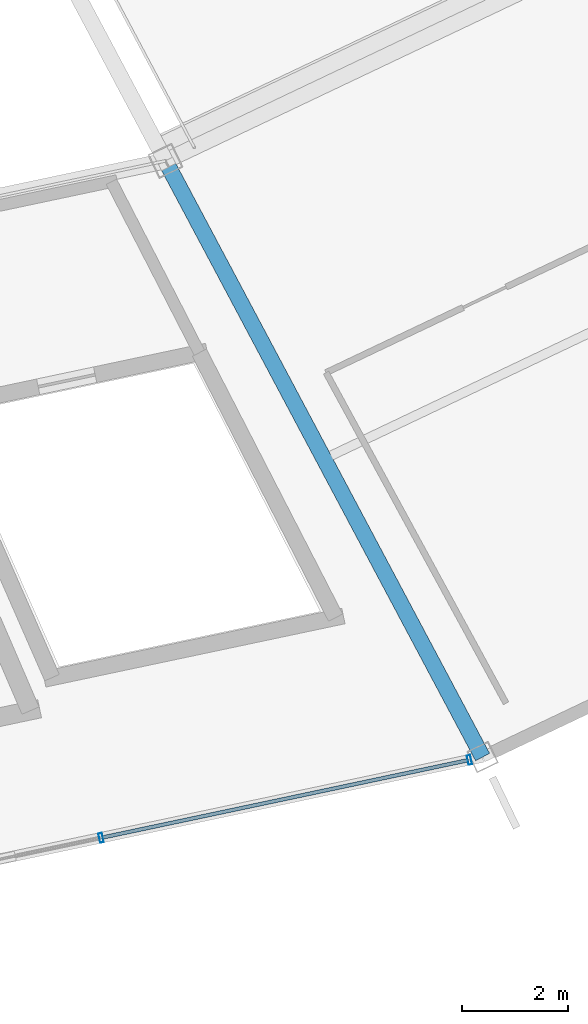
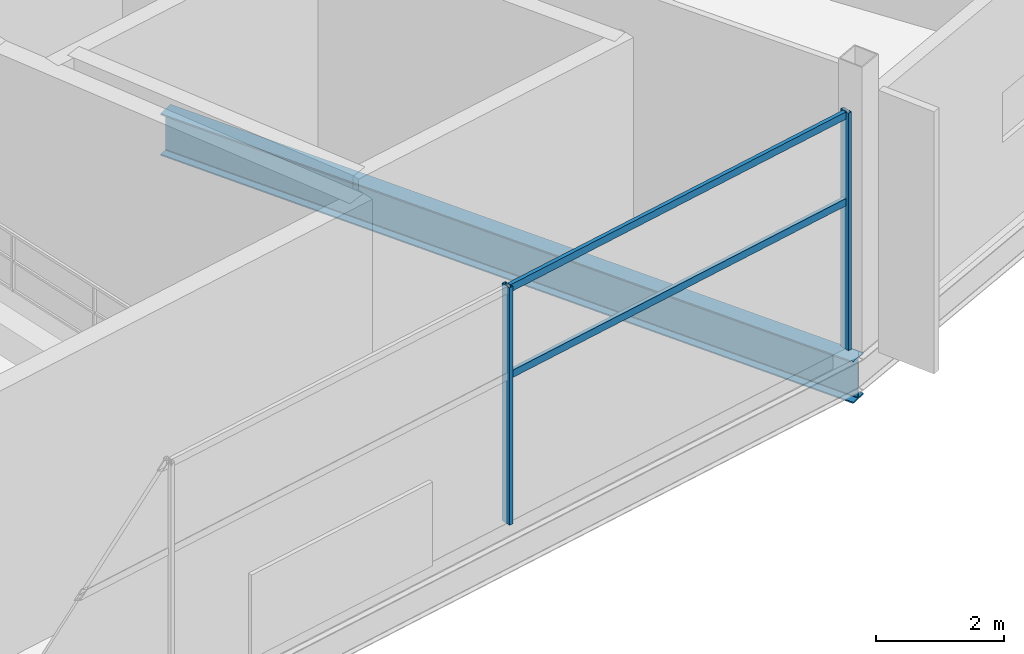
# One storey, part 57 of 186: 4 members, 1 beam, 1 element without a shape of its own.
"""IFC4 building model written with IfcOpenShell, lengths in metres."""

from ifc_helpers import new_model, si_unit, direction, frame, origin, origin_2d, place, context, subcontext, project, spatial, hollow_rectangle, i_section, extrude, material, layer, layer_set, material_profile, profile_set, type_object, element, aggregate, save


model = new_model("IFC4")

# Units and contexts
model_context = context("Model", 3, precision=1e-05, world=origin(), true_north=direction((0.0, 1.0)))
body_context = subcontext(model_context, "Body", "Model", "MODEL_VIEW")
ifc_project = project(units=[si_unit("LENGTHUNIT", "METRE"), si_unit("AREAUNIT", "SQUARE_METRE"), si_unit("VOLUMEUNIT", "CUBIC_METRE"), si_unit("PLANEANGLEUNIT", "RADIAN"), si_unit("MASSUNIT", "GRAM", prefix="KILO")], contexts=[model_context])

# Site, building, storey
site_placement = place(None, origin())
site = spatial("IfcSite", under=ifc_project, at=site_placement, CompositionType="ELEMENT")
building_placement = place(site_placement, origin())
building = spatial("IfcBuilding", under=site, at=building_placement, Name="Kazemori Nagisa Stadium", CompositionType="ELEMENT")
storey_placement = place(building_placement, frame((0.0, 0.0, 20.39990234375)))
storey = spatial("IfcBuildingStorey", under=building, at=storey_placement, Name="L04", CompositionType="ELEMENT", Elevation=20.39990234375)

# Beam
ifc_material_1 = material(Name="Steel SN490B", Category="steel")
ifc_material_profile_1 = material_profile(ifc_material_1, i_section(OverallWidth=0.300048828125, OverallDepth=0.800048828125, WebThickness=0.013916015625, FlangeThickness=0.02587890625, FilletRadius=0.01806640625, at=origin_2d()), Name="H-800x300x14x26")
ifc_profile_set_1 = profile_set([ifc_material_profile_1], Name="Steel SN490B")
beam_type = type_object("IfcBeamType", Name="Beam_BG-H800", PredefinedType="BEAM", material=ifc_profile_set_1)
beam_placement = place(storey_placement, frame((159.81201171875, 32.80078125, -0.699951171875), z_axis=(0.469648511848, -0.882853484628, 0.0), x_axis=(0.882853484628, 0.469648511848, 0.0)))
element("IfcBeam", 1, at=beam_placement, inside=storey, type_object=beam_type, Name="Radial girder BG-H800 L04 R2-R3-24", PredefinedType="BEAM", context=body_context, shape_type="SweptSolid", body=[
    extrude(i_section(OverallWidth=0.300048828125, OverallDepth=0.800048828125, WebThickness=0.013916015625, FlangeThickness=0.02587890625, FilletRadius=0.01806640625, at=origin_2d()), origin(), (0.0, 0.0, 1.0), 12.760009765625),
])

# Curtain wall, members
ifc_material_2 = material(Name="Anodised aluminium 6063-T5", Category="aluminium")
ifc_layer = layer(ifc_material_2, 0.179931640625, Name="Anodised aluminium 6063-T5", Category="aluminium")
ifc_layer_set = layer_set([ifc_layer], Name="Anodised aluminium 6063-T5")
curtain_wall_type = type_object("IfcCurtainWallType", Name="CW_L04R3_107", PredefinedType="USERDEFINED", material=ifc_layer_set)
curtain_wall_placement = place(storey_placement, origin())
curtain_wall = element("IfcCurtainWall", 2, at=curtain_wall_placement, inside=storey, type_object=curtain_wall_type, Name="Unitised curtain wall CW-L04R3-107 L04", ObjectType="UNITISED CURTAIN WALL", PredefinedType="USERDEFINED")
ifc_material_3 = material(Name="Aluminium 6063-T5 anodised", Category="aluminium")
ifc_material_profile_2 = material_profile(ifc_material_3, hollow_rectangle(XDim=0.070068359375, YDim=0.179931640625, WallThickness=0.00390625, at=origin_2d()), Name="ALU-MULL-70x180x4")
ifc_profile_set_2 = profile_set([ifc_material_profile_2], Name="Aluminium 6063-T5 anodised")
member_type_1 = type_object("IfcMemberType", Name="Mullion_M01", PredefinedType="MULLION", material=ifc_profile_set_2)
member_1_placement = place(storey_placement, frame((158.595947265625, 20.0107421875, 0.0), z_axis=(0.0, 0.0, 1.0), x_axis=(0.978344955407, 0.206981033502, 0.0)))
member_1 = element("IfcMember", 3, at=member_1_placement, type_object=member_type_1, Name="Curtain wall mullion CW-L04R3-107-M3", PredefinedType="MULLION", context=body_context, shape_type="SweptSolid", body=[
    extrude(hollow_rectangle(XDim=0.070068359375, YDim=0.179931640625, WallThickness=0.00390625, at=origin_2d()), origin(), (0.0, 0.0, 1.0), 4.530029296875),
])
member_2_placement = place(storey_placement, frame((165.55517578125, 21.48291015625, 0.0), z_axis=(0.0, 0.0, 1.0), x_axis=(0.978344955407, 0.206981033502, 0.0)))
member_2 = element("IfcMember", 4, at=member_2_placement, type_object=member_type_1, Name="Curtain wall mullion CW-L04R3-107-M4", PredefinedType="MULLION", context=body_context, shape_type="SweptSolid", body=[
    extrude(hollow_rectangle(XDim=0.070068359375, YDim=0.179931640625, WallThickness=0.00390625, at=origin_2d()), origin(), (0.0, 0.0, 1.0), 4.530029296875),
])
ifc_material_profile_3 = material_profile(ifc_material_3, hollow_rectangle(XDim=0.070068359375, YDim=0.139892578125, WallThickness=0.00390625, at=origin_2d()), Name="ALU-TRAN-70x140x4")
ifc_profile_set_3 = profile_set([ifc_material_profile_3], Name="Aluminium 6063-T5 anodised")
member_type_2 = type_object("IfcMemberType", Name="Transom_T01", PredefinedType="USERDEFINED", material=ifc_profile_set_3)
member_3_placement = place(storey_placement, frame((158.615478515625, 20.0146484375, 2.80859375), z_axis=(0.97834311718, 0.206989722128, 0.0), x_axis=(-0.206989722128, 0.97834311718, 0.0)))
member_3 = element("IfcMember", 5, at=member_3_placement, type_object=member_type_2, Name="Curtain wall transom CW-L04R3-107-T3-mid", ObjectType="TRANSOM", PredefinedType="USERDEFINED", context=body_context, shape_type="SweptSolid", body=[
    extrude(hollow_rectangle(XDim=0.070068359375, YDim=0.139892578125, WallThickness=0.00390625, at=origin_2d()), origin(), (0.0, 0.0, 1.0), 7.0732421875),
])
member_4_placement = place(storey_placement, frame((158.615478515625, 20.0146484375, 4.460205078125), z_axis=(0.97834311718, 0.206989722128, 0.0), x_axis=(-0.206989722128, 0.97834311718, 0.0)))
member_4 = element("IfcMember", 6, at=member_4_placement, type_object=member_type_2, Name="Curtain wall transom CW-L04R3-107-T3-head", ObjectType="TRANSOM", PredefinedType="USERDEFINED", context=body_context, shape_type="SweptSolid", body=[
    extrude(hollow_rectangle(XDim=0.070068359375, YDim=0.139892578125, WallThickness=0.00390625, at=origin_2d()), origin(), (0.0, 0.0, 1.0), 7.0732421875),
])
aggregate(curtain_wall, [member_1, member_2, member_3, member_4])

save(model, "model.ifc")
